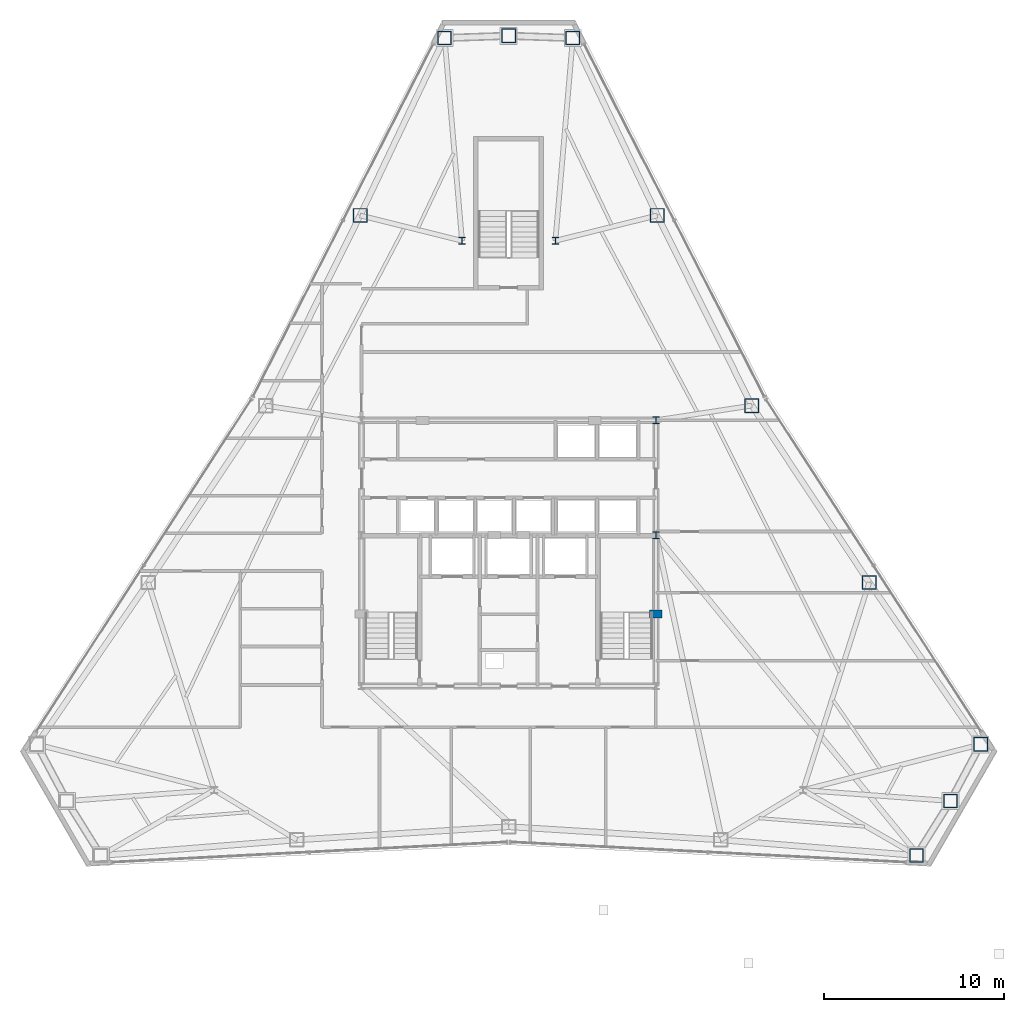
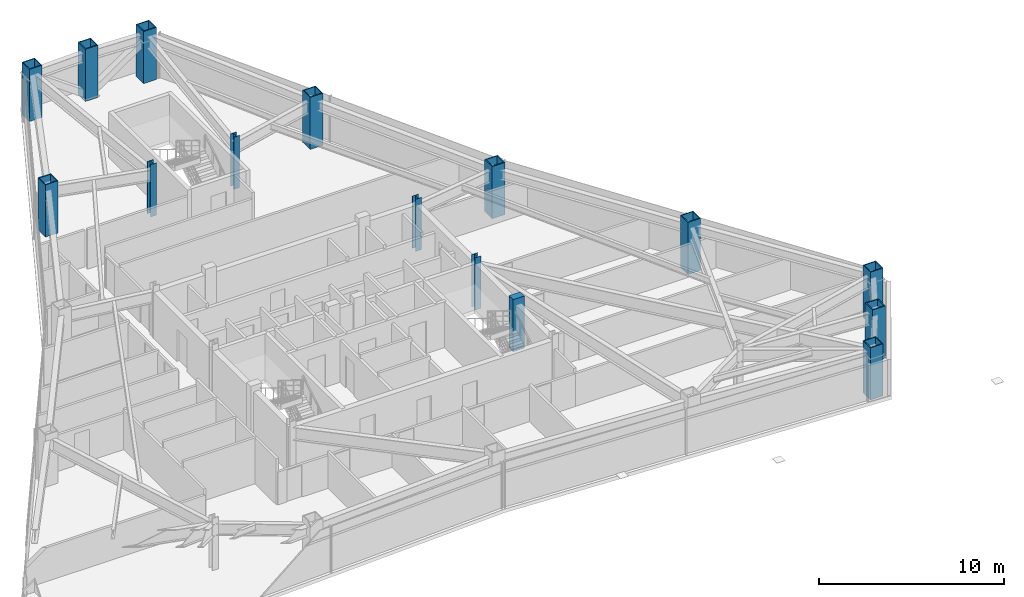
# One storey, part 2 of 12: 15 columns.
"""IFC4 building model written with IfcOpenShell, lengths in metres."""

import ifcopenshell
import ifcopenshell.guid

model = None  # the IFC model being written
_history = None  # IfcOwnerHistory: only IFC2X3 demands one
_inside = {}  # id of a spatial element -> (the spatial element, [elements in it])
_under = {}  # id of a project, library or spatial element -> (it, [spatial elements below it])
_declared = {}  # id of a project -> (the project, [libraries it declares])
_typed = {}  # id of a type object -> (the type object, [elements of that type])
_made_of = {}  # id of a material, layer set ... -> (it, [elements and type objects made of it])


def new_model(schema):
    """Start an empty IFC model of exactly this schema.

    Asked for "IFC4X3", IfcOpenShell would pick the latest addendum, in which some entities
    have other attributes; the version numbers below select the first issue.
    IFC2X3 requires an IfcOwnerHistory on every rooted entity: one is made here for all.
    """
    global model, _history
    if schema == "IFC4X3":
        model = ifcopenshell.file(schema_version=(4, 3, 0, 0))
    else:
        model = ifcopenshell.file(schema=schema)
    _inside.clear()
    _under.clear()
    _declared.clear()
    _typed.clear()
    _made_of.clear()
    _history = None
    if model.schema == "IFC2X3":
        org = make("IfcOrganization", Name="unknown")
        user = make(
            "IfcPersonAndOrganization",
            ThePerson=make("IfcPerson", FamilyName="unknown"),
            TheOrganization=org,
        )
        app = make(
            "IfcApplication",
            ApplicationDeveloper=org,
            Version="unknown",
            ApplicationFullName="unknown",
            ApplicationIdentifier="unknown",
        )
        _history = make(
            "IfcOwnerHistory",
            OwningUser=user,
            OwningApplication=app,
            ChangeAction="ADDED",
            CreationDate=0,
        )
    return model


def make(cls, **values):
    """One entity of the class cls with the attributes given. An attribute that is None is left unset."""
    return model.create_entity(
        cls, **{name: value for name, value in values.items() if value is not None}
    )


def rooted(cls, **values):
    """An entity with a GlobalId (a new one), such as an element, a storey or a relation."""
    return make(cls, GlobalId=ifcopenshell.guid.new(), OwnerHistory=_history, **values)


def si_unit(unit_type, name, prefix=None):
    """IfcSIUnit, for example si_unit("LENGTHUNIT", "METRE", prefix="MILLI")."""
    return make("IfcSIUnit", UnitType=unit_type, Prefix=prefix, Name=name)


def assignment(units):
    """IfcUnitAssignment: the units of a project."""
    return None if units is None else make("IfcUnitAssignment", Units=units)


def point(xyz):
    """IfcCartesianPoint."""
    return None if xyz is None else make("IfcCartesianPoint", Coordinates=xyz)


def direction(xyz):
    """IfcDirection."""
    return None if xyz is None else make("IfcDirection", DirectionRatios=xyz)


def frame(location, z_axis=None, x_axis=None):
    """IfcAxis2Placement3D, a coordinate frame: its origin and axes. An axis left out is left unset."""
    return make(
        "IfcAxis2Placement3D",
        Location=point(location),
        Axis=direction(z_axis),
        RefDirection=direction(x_axis),
    )


def frame_2d(location, x_axis=None):
    """IfcAxis2Placement2D, a coordinate frame in the plane: its origin and x axis."""
    return make(
        "IfcAxis2Placement2D", Location=point(location), RefDirection=direction(x_axis)
    )


def origin():
    """The frame at (0, 0, 0) with its axes left unset."""
    return frame((0.0, 0.0, 0.0))


def origin_2d():
    """The frame at (0, 0) in the plane with its x axis left unset."""
    return frame_2d((0.0, 0.0))


def place(relative_to, where):
    """IfcLocalPlacement: puts the frame where relative to a parent placement (None: the world)."""
    return make(
        "IfcLocalPlacement", PlacementRelTo=relative_to, RelativePlacement=where
    )


def context(
    kind, dimensions, precision=None, world=None, true_north=None, identifier=None
):
    """IfcGeometricRepresentationContext, for example the 3D "Model" context."""
    return make(
        "IfcGeometricRepresentationContext",
        ContextIdentifier=identifier,
        ContextType=kind,
        CoordinateSpaceDimension=dimensions,
        Precision=precision,
        WorldCoordinateSystem=world,
        TrueNorth=true_north,
    )


def subcontext(parent, identifier, kind, view, scale=None):
    """IfcGeometricRepresentationSubContext, for example "Body" below "Model"."""
    return make(
        "IfcGeometricRepresentationSubContext",
        ContextIdentifier=identifier,
        ContextType=kind,
        ParentContext=parent,
        TargetScale=scale,
        TargetView=view,
    )


def project(units=None, contexts=None):
    """IfcProject with its units and contexts."""
    return rooted(
        "IfcProject",
        Name="project",
        RepresentationContexts=contexts,
        UnitsInContext=assignment(units),
    )


def spatial(cls, under=None, at=None, **own):
    """A site, building, storey or space (cls), placed at a placement, below another one or the project."""
    s = rooted(cls, ObjectPlacement=at, **own)
    if under is not None:
        _under.setdefault(under.id(), (under, []))[1].append(s)
    return s


def profile(cls, at=None, kind="AREA", **sizes):
    """A parametric profile (cls). Its sizes go by their IFC names, for example OverallWidth=200.0."""
    return make(cls, ProfileType=kind, Position=at, **sizes)


def rectangle(**sizes):
    """IfcRectangleProfileDef."""
    return profile("IfcRectangleProfileDef", **sizes)


def hollow_rectangle(**sizes):
    """IfcRectangleHollowProfileDef."""
    return profile("IfcRectangleHollowProfileDef", **sizes)


def i_section(**sizes):
    """IfcIShapeProfileDef."""
    return profile("IfcIShapeProfileDef", **sizes)


def extrude(swept, where, along, depth):
    """IfcExtrudedAreaSolid: the profile swept, set in the frame where, extruded along a direction by depth."""
    return make(
        "IfcExtrudedAreaSolid",
        SweptArea=swept,
        Position=where,
        ExtrudedDirection=direction(along),
        Depth=depth,
    )


def shape(context_of_items, identifier, shape_type, items):
    """IfcShapeRepresentation: the items that make up one representation, for example the "Body"."""
    return make(
        "IfcShapeRepresentation",
        ContextOfItems=context_of_items,
        RepresentationIdentifier=identifier,
        RepresentationType=shape_type,
        Items=items,
    )


def material(Name=None, Category=None):
    """IfcMaterial."""
    return make("IfcMaterial", Name=Name, Category=Category)


def material_profile(
    of_material, cross_section, Name=None, Category=None, Priority=None
):
    """IfcMaterialProfile: a cross section and its material."""
    return make(
        "IfcMaterialProfile",
        Name=Name,
        Material=of_material,
        Profile=cross_section,
        Priority=Priority,
        Category=Category,
    )


def profile_set(profiles, Name=None, composite=None):
    """IfcMaterialProfileSet."""
    return make(
        "IfcMaterialProfileSet",
        Name=Name,
        MaterialProfiles=profiles,
        CompositeProfile=composite,
    )


def made_of(thing, what):
    """Note that an element or type object is made of a material, layer set ...; save() writes the relation."""
    if what is not None:
        _made_of.setdefault(what.id(), (what, []))[1].append(thing)
    return thing


def type_object(cls, material=None, **own):
    """A type object (cls), such as IfcWallType, which elements share."""
    return made_of(rooted(cls, **own), material)


def element(
    cls,
    number,
    at=None,
    inside=None,
    cuts=None,
    type_object=None,
    material=None,
    context=None,
    identifier="Body",
    shape_type=None,
    held_by="IfcProductDefinitionShape",
    body=None,
    shapes=None,
    **own,
):
    """One element of the class cls, such as IfcWall. Its Tag is "e" and its number.

    at: its placement. inside: the storey or other place that contains it. cuts: it is an
    opening in that element (IfcRelVoidsElement). A single representation is given by context,
    identifier, shape_type and body (its items); several are given by shapes. held_by: the class
    of the entity that holds the representations. save() writes the other relations.
    """
    e = rooted(cls, Tag="e%d" % number, ObjectPlacement=at, **own)
    if body is not None:
        shapes = [shape(context, identifier, shape_type, body)]
    if shapes is not None:
        e.Representation = make(held_by, Representations=shapes)
    if inside is not None:
        _inside.setdefault(inside.id(), (inside, []))[1].append(e)
    if cuts is not None:
        rooted(
            "IfcRelVoidsElement", RelatingBuildingElement=cuts, RelatedOpeningElement=e
        )
    if type_object is not None:
        _typed.setdefault(type_object.id(), (type_object, []))[1].append(e)
    return made_of(e, material)


def aggregate(whole, parts):
    """IfcRelAggregates: a whole, such as a stair, and the parts it consists of."""
    return rooted("IfcRelAggregates", RelatingObject=whole, RelatedObjects=parts)


def save(model, path):
    """Write the relations noted so far, then the file.

    IfcRelAggregates (storeys below a building ...), IfcRelContainedInSpatialStructure (elements
    in a storey), IfcRelDefinesByType, IfcRelAssociatesMaterial and IfcRelDeclares: one each for
    every whole, place, type object, material and project.
    """
    for whole, parts in _under.values():
        aggregate(whole, parts)
    for where, things in _inside.values():
        rooted(
            "IfcRelContainedInSpatialStructure",
            RelatedElements=things,
            RelatingStructure=where,
        )
    for kind, things in _typed.values():
        rooted("IfcRelDefinesByType", RelatedObjects=things, RelatingType=kind)
    for what, things in _made_of.values():
        rooted("IfcRelAssociatesMaterial", RelatedObjects=things, RelatingMaterial=what)
    for by, libraries in _declared.values():
        rooted("IfcRelDeclares", RelatingContext=by, RelatedDefinitions=libraries)
    model.write(path)


model = new_model("IFC4")

# Units and contexts
model_context = context("Model", 3, precision=1e-05, world=origin(), true_north=direction((0.0, 1.0)))
body_context = subcontext(model_context, "Body", "Model", "MODEL_VIEW")
ifc_project = project(units=[si_unit("LENGTHUNIT", "METRE"), si_unit("AREAUNIT", "SQUARE_METRE"), si_unit("VOLUMEUNIT", "CUBIC_METRE"), si_unit("PLANEANGLEUNIT", "RADIAN"), si_unit("MASSUNIT", "GRAM", prefix="KILO")], contexts=[model_context])

# Site, building, storey
site_placement = place(None, origin())
site = spatial("IfcSite", under=ifc_project, at=site_placement, CompositionType="ELEMENT")
building_placement = place(site_placement, origin())
building = spatial("IfcBuilding", under=site, at=building_placement, Name="Varakhsha Concourse Tower", CompositionType="ELEMENT")
storey_placement = place(building_placement, frame((0.0, 0.0, 193.050048828125)))
storey = spatial("IfcBuildingStorey", under=building, at=storey_placement, Name="L55", CompositionType="ELEMENT", Elevation=193.050048828125)

# Columns
ifc_material_1 = material(Name="Structural Steel ASTM A992 Grade 50", Category="steel")
ifc_material_profile_1 = material_profile(ifc_material_1, i_section(OverallWidth=0.3740234375, OverallDepth=0.3720703125, WebThickness=0.01611328125, FlangeThickness=0.02587890625, at=origin_2d()), Name="W14X132")
ifc_profile_set_1 = profile_set([ifc_material_profile_1], Name="Structural Steel ASTM A992 Grade 50")
column_type_1 = type_object("IfcColumnType", Name="CL-CORE-W14X132", PredefinedType="COLUMN", material=ifc_profile_set_1)
for number, where, z_axis, x_axis, name in (
    (1, (48.199951171875, 24.800048828125, 0.0), (0.0, 0.0, 1.0), (1.0, 0.0, 0.0), "L55 Core Column CC-ME"),
    (2, (48.199951171875, 31.199951171875, 0.0), (0.0, 0.0, 1.0), (1.0, 0.0, 0.0), "L55 Core Column CC-NE"),
    (3, (37.39990234375, 41.199951171875, 0.0), (0.0, 0.0, 1.0), (1.0, 0.0, 0.0), "L55 Core Column NS-W"),
    (4, (42.60009765625, 41.199951171875, 0.0), (0.0, 0.0, 1.0), (1.0, 0.0, 0.0), "L55 Core Column NS-E"),
):
    element("IfcColumn", number, at=place(storey_placement, frame(where, z_axis=z_axis, x_axis=x_axis)), inside=storey, type_object=column_type_1, Name=name, PredefinedType="COLUMN", context=body_context, shape_type="SweptSolid", body=[
        extrude(i_section(OverallWidth=0.3740234375, OverallDepth=0.3720703125, WebThickness=0.01611328125, FlangeThickness=0.02587890625, at=origin_2d()), origin(), (0.0, 0.0, 1.0), 3.449951171875),
    ])
ifc_material_2 = material(Name="Concrete fc 65 MPa", Category="concrete")
ifc_material_profile_2 = material_profile(ifc_material_2, rectangle(XDim=0.699951171875, YDim=0.449951171875, at=origin_2d()), Name="RC 700x450")
ifc_profile_set_2 = profile_set([ifc_material_profile_2], Name="Concrete fc 65 MPa")
column_type_2 = type_object("IfcColumnType", Name="CL-PIL-700X450", PredefinedType="PILASTER", material=ifc_profile_set_2)
column_placement = place(storey_placement, frame((48.199951171875, 20.39990234375, 0.0), z_axis=(0.0, 0.0, 1.0), x_axis=(1.0, 0.0, 0.0)))
element("IfcColumn", 5, at=column_placement, inside=storey, type_object=column_type_2, Name="L55 Core Boundary Pilaster PIL-E1", PredefinedType="PILASTER", context=body_context, shape_type="SweptSolid", body=[
    extrude(rectangle(XDim=0.699951171875, YDim=0.449951171875, at=origin_2d()), origin(), (0.0, 0.0, 1.0), 3.449951171875),
])
ifc_material_3 = material(Name="Structural Steel ASTM A572 Grade 50", Category="steel")
ifc_material_profile_3 = material_profile(ifc_material_3, hollow_rectangle(XDim=0.800048828125, YDim=0.800048828125, WallThickness=0.054931640625, at=origin_2d()), Name="BOX 800x800x55")
ifc_profile_set_3 = profile_set([ifc_material_profile_3], Name="Structural Steel ASTM A572 Grade 50")
column_type_3 = type_object("IfcColumnType", Name="CL-TUBE-800", PredefinedType="COLUMN", material=ifc_profile_set_3)
for number, where, z_axis, x_axis, name in (
    (6, (43.5732421875, 52.494140625, 0.0), (0.0, 0.0, 1.0), (1.0, 0.0, 0.0), "L55 Framed-Tube Column TC01"),
    (7, (40.0, 52.6181640625, 0.0), (0.0, 0.0, 1.0), (1.0, 0.0, 0.0), "L55 Framed-Tube Column TC02"),
    (8, (36.4267578125, 52.494140625, 0.0), (0.0, 0.0, 1.0), (1.0, 0.0, 0.0), "L55 Framed-Tube Column TC03"),
    (9, (31.723876953125, 42.611083984375, 0.0), (0.0, 0.0, 1.0), (1.0, 0.0, 0.0), "L55 Framed-Tube Column TC04"),
    (10, (62.716796875, 6.95849609375, 0.0), (0.0, 0.0, 1.0), (1.0, 0.0, 0.0), "L55 Framed-Tube Column TC13"),
    (11, (64.61083984375, 9.990966796875, 0.0), (0.0, 0.0, 1.0), (1.0, 0.0, 0.0), "L55 Framed-Tube Column TC14"),
    (12, (66.2900390625, 13.1474609375, 0.0), (0.0, 0.0, 1.0), (1.0, 0.0, 0.0), "L55 Framed-Tube Column TC15"),
    (13, (60.08251953125, 22.16162109375, 0.0), (0.0, 0.0, 1.0), (1.0, 0.0, 0.0), "L55 Framed-Tube Column TC16"),
    (14, (53.54296875, 32.01904296875, 0.0), (0.0, 0.0, 1.0), (1.0, 0.0, 0.0), "L55 Framed-Tube Column TC17"),
    (15, (48.276123046875, 42.611083984375, 0.0), (0.0, 0.0, 1.0), (1.0, 0.0, 0.0), "L55 Framed-Tube Column TC18"),
):
    element("IfcColumn", number, at=place(storey_placement, frame(where, z_axis=z_axis, x_axis=x_axis)), inside=storey, type_object=column_type_3, Name=name, PredefinedType="COLUMN", context=body_context, shape_type="SweptSolid", body=[
        extrude(hollow_rectangle(XDim=0.800048828125, YDim=0.800048828125, WallThickness=0.054931640625, at=origin_2d()), origin(), (0.0, 0.0, 1.0), 3.449951171875),
    ])

save(model, "model.ifc")
